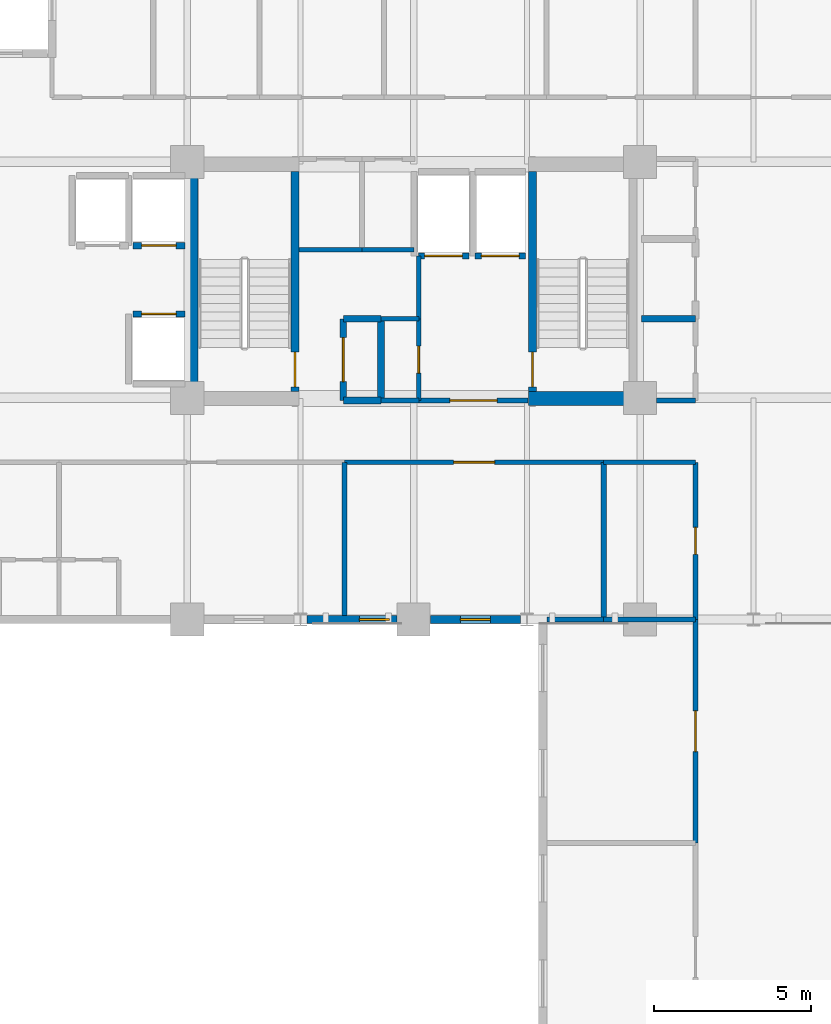
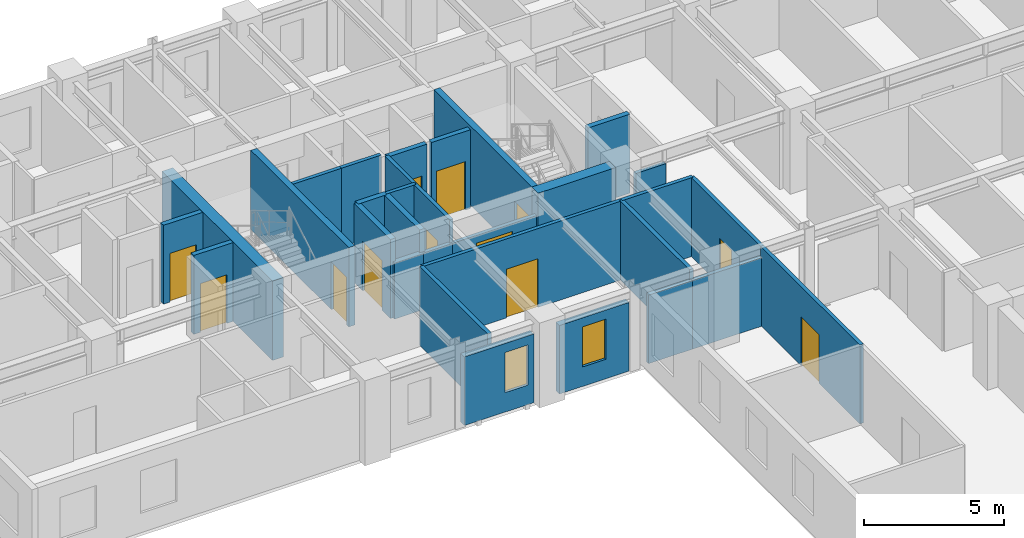
# One storey, part 5 of 13: 31 walls, 12 doors, 2 windows, 14 openings.
"""IFC4 building model written with IfcOpenShell, lengths in metres."""

from ifc_helpers import new_model, si_unit, direction, frame, frame_2d, origin, place, context, subcontext, project, spatial, rectangle, extrude, material, layer, layer_set, type_object, element, fill, save


model = new_model("IFC4")

# Units and contexts
model_context = context("Model", 3, precision=1e-05, world=origin(), true_north=direction((0.0, 1.0)))
body_context = subcontext(model_context, "Body", "Model", "MODEL_VIEW")
ifc_project = project(units=[si_unit("LENGTHUNIT", "METRE"), si_unit("AREAUNIT", "SQUARE_METRE"), si_unit("VOLUMEUNIT", "CUBIC_METRE"), si_unit("PLANEANGLEUNIT", "RADIAN"), si_unit("MASSUNIT", "GRAM", prefix="KILO")], contexts=[model_context])

# Site, building, storey
site_placement = place(None, origin())
site = spatial("IfcSite", under=ifc_project, at=site_placement, CompositionType="ELEMENT")
building_placement = place(site_placement, origin())
building = spatial("IfcBuilding", under=site, at=building_placement, Name="Kaliganga Portal Commons", CompositionType="ELEMENT")
storey_placement = place(building_placement, frame((0.0, 0.0, 166.10009765625)))
storey = spatial("IfcBuildingStorey", under=building, at=storey_placement, Name="L42", CompositionType="ELEMENT", Elevation=166.10009765625)

# Walls
ifc_material_1 = material(Name="Concrete C60/75", Category="concrete")
ifc_layer_1 = layer(ifc_material_1, 0.449951171875)
ifc_layer_set_1 = layer_set([ifc_layer_1], Name="Concrete C60/75")
wall_type_1 = type_object("IfcWallType", Name="WL-CORE-450", PredefinedType="SHEAR", material=ifc_layer_set_1)
wall_1_placement = place(storey_placement, frame((14.52490234375, 28.39990234375, 0.0), z_axis=(0.0, 0.0, 1.0), x_axis=(0.0, 1.0, 0.0)))
element("IfcWall", 1, at=wall_1_placement, inside=storey, type_object=wall_type_1, Name="Core A West Shear Wall L42", PredefinedType="SHEAR", context=body_context, shape_type="SweptSolid", body=[
    extrude(rectangle(XDim=7.900146484375, YDim=0.449951171875, at=frame_2d((3.9501953125, 0.0))), origin(), (0.0, 0.0, 1.0), 3.4599609375),
])
wall_2_placement = place(storey_placement, frame((25.25, 28.625, 0.0), z_axis=(0.0, 0.0, 1.0), x_axis=(1.0, 0.0, 0.0)))
element("IfcWall", 2, at=wall_2_placement, inside=storey, type_object=wall_type_1, Name="Core A S-East Shear Wall L42", PredefinedType="SHEAR", context=body_context, shape_type="SweptSolid", body=[
    extrude(rectangle(XDim=3.199951171875, YDim=0.449951171875, at=frame_2d((1.60009765625, 0.0))), origin(), (0.0, 0.0, 1.0), 3.4599609375),
])

# Wall, opening, window
ifc_material_2 = material(Name="Insulated Aluminium-Clad Spandrel Assembly", Category="aluminium")
ifc_layer_2 = layer(ifc_material_2, 0.260009765625)
ifc_layer_set_2 = layer_set([ifc_layer_2], Name="Insulated Aluminium-Clad Spandrel Assembly")
wall_type_2 = type_object("IfcWallType", Name="WL-EXT-SPAND-260", PredefinedType="STANDARD", material=ifc_layer_set_2)
wall_3_placement = place(storey_placement, frame((21.073974609375, 21.60009765625, 0.0), z_axis=(0.0, 0.0, 1.0), x_axis=(-1.0, 0.0, 0.0)))
wall_3 = element("IfcWall", 3, at=wall_3_placement, inside=storey, type_object=wall_type_2, Name="Exterior Envelope Wall L42 P1-E10-S3", PredefinedType="STANDARD", context=body_context, shape_type="SweptSolid", body=[
    extrude(rectangle(XDim=2.87109375, YDim=0.260009765625, at=frame_2d((1.435546875, 0.0))), origin(), (0.0, 0.0, 1.0), 2.989990234375),
])
opening_1_placement = place(wall_3_placement, frame((0.24853515625, 0.0, 0.85009765625)))
opening_1 = element("IfcOpeningElement", 4, at=opening_1_placement, cuts=wall_3, Name="Opening W-04", PredefinedType="OPENING", context=body_context, shape_type="SweptSolid", body=[
    extrude(rectangle(XDim=0.949951171875, YDim=1.75, at=frame_2d((0.47509765625, 0.875))), frame((0.0, 0.14013671875, 0.0), z_axis=(0.0, -1.0, 0.0), x_axis=(1.0, 0.0, 0.0)), (0.0, 0.0, 1.0), 0.280029296875),
])
ifc_material_3 = material(Name="Thermally Broken Aluminium and Low-E Double Glazing", Category="aluminium")
window_type = type_object("IfcWindowType", Name="WIN-NARROW-950", PartitioningType="SINGLE_PANEL", PredefinedType="WINDOW", material=ifc_material_3)
window_1_placement = place(opening_1_placement, origin())
window_1 = element("IfcWindow", 5, at=window_1_placement, inside=storey, type_object=window_type, Name="Facade Window L42-P1E10S3-N1", OverallHeight=1.75, OverallWidth=0.949951171875, PartitioningType="SINGLE_PANEL", PredefinedType="WINDOW", context=body_context, shape_type="SweptSolid", body=[
    extrude(rectangle(XDim=0.949951171875, YDim=1.75, at=frame_2d((0.47509765625, 0.875))), frame((0.0, 0.030029296875, 0.0), z_axis=(0.0, -1.0, 0.0), x_axis=(1.0, 0.0, 0.0)), (0.0, 0.0, 1.0), 0.06005859375),
])
fill(opening_1, window_1)

wall_4_placement = place(storey_placement, frame((24.9970703125, 21.60009765625, 0.0), z_axis=(0.0, 0.0, 1.0), x_axis=(-1.0, 0.0, 0.0)))
wall_4 = element("IfcWall", 6, at=wall_4_placement, inside=storey, type_object=wall_type_2, Name="Exterior Envelope Wall L42 P1-E10-S4", PredefinedType="STANDARD", context=body_context, shape_type="SweptSolid", body=[
    extrude(rectangle(XDim=2.87109375, YDim=0.260009765625, at=frame_2d((1.435546875, 0.0))), origin(), (0.0, 0.0, 1.0), 2.989990234375),
])
opening_2_placement = place(wall_4_placement, frame((0.96044921875, 0.0, 0.85009765625)))
opening_2 = element("IfcOpeningElement", 7, at=opening_2_placement, cuts=wall_4, Name="Opening W-04", PredefinedType="OPENING", context=body_context, shape_type="SweptSolid", body=[
    extrude(rectangle(XDim=0.949951171875, YDim=1.75, at=frame_2d((0.47509765625, 0.875))), frame((0.0, 0.14013671875, 0.0), z_axis=(0.0, -1.0, 0.0), x_axis=(1.0, 0.0, 0.0)), (0.0, 0.0, 1.0), 0.280029296875),
])
window_2_placement = place(opening_2_placement, origin())
window_2 = element("IfcWindow", 8, at=window_2_placement, inside=storey, type_object=window_type, Name="Facade Window L42-P1E10S4-00", OverallHeight=1.75, OverallWidth=0.949951171875, PartitioningType="SINGLE_PANEL", PredefinedType="WINDOW", context=body_context, shape_type="SweptSolid", body=[
    extrude(rectangle(XDim=0.949951171875, YDim=1.75, at=frame_2d((0.47509765625, 0.875))), frame((0.0, 0.030029296875, 0.0), z_axis=(0.0, -1.0, 0.0), x_axis=(1.0, 0.0, 0.0)), (0.0, 0.0, 1.0), 0.06005859375),
])
fill(opening_2, window_2)

# Wall, opening, door
ifc_material_4 = material(Name="Fire-Rated Gypsum Board on Steel Stud", Category="steel")
ifc_layer_3 = layer(ifc_material_4, 0.14990234375)
ifc_layer_set_3 = layer_set([ifc_layer_3], Name="Fire-Rated Gypsum Board on Steel Stud")
wall_type_3 = type_object("IfcWallType", Name="WL-PART-CORR-150", PredefinedType="PARTITIONING", material=ifc_layer_set_3)
wall_5_placement = place(storey_placement, frame((19.39990234375, 26.60009765625, 0.0), z_axis=(0.0, 0.0, 1.0), x_axis=(1.0, 0.0, 0.0)))
wall_5 = element("IfcWall", 9, at=wall_5_placement, inside=storey, type_object=wall_type_3, Name="Interior Partition L42-009", PredefinedType="PARTITIONING", context=body_context, shape_type="SweptSolid", body=[
    extrude(rectangle(XDim=8.239990234375, YDim=0.14990234375, at=frame_2d((4.1201171875, 0.0))), origin(), (0.0, 0.0, 1.0), 3.43994140625),
])
opening_3_placement = place(wall_5_placement, frame((3.469970703125, 0.0, 0.0)))
opening_3 = element("IfcOpeningElement", 10, at=opening_3_placement, cuts=wall_5, Name="Opening RD-03", PredefinedType="OPENING", context=body_context, shape_type="SweptSolid", body=[
    extrude(rectangle(XDim=1.300048828125, YDim=2.1201171875, at=frame_2d((0.64990234375, 1.06005859375))), frame((0.0, 0.0849609375, 0.0), z_axis=(0.0, -1.0, 0.0), x_axis=(1.0, 0.0, 0.0)), (0.0, 0.0, 1.0), 0.169921875),
])
ifc_material_5 = material(Name="Glazed Timber Seminar Vision Door", Category="wood")
door_type_1 = type_object("IfcDoorType", Name="DR-STUDY-1300", OperationType="DOUBLE_DOOR_SINGLE_SWING", PredefinedType="DOOR", material=ifc_material_5)
door_1_placement = place(opening_3_placement, origin())
door_1 = element("IfcDoor", 11, at=door_1_placement, inside=storey, type_object=door_type_1, Name="Interior Door L42-AS03", OperationType="DOUBLE_DOOR_SINGLE_SWING", OverallHeight=2.1201171875, OverallWidth=1.300048828125, PredefinedType="DOOR", context=body_context, shape_type="SweptSolid", body=[
    extrude(rectangle(XDim=1.300048828125, YDim=2.1201171875, at=frame_2d((0.64990234375, 1.06005859375))), frame((0.0, 0.02490234375, 0.0), z_axis=(0.0, -1.0, 0.0), x_axis=(1.0, 0.0, 0.0)), (0.0, 0.0, 1.0), 0.050048828125),
])
fill(opening_3, door_1)

wall_6_placement = place(storey_placement, frame((30.56005859375, 14.5, 0.0), z_axis=(0.0, 0.0, 1.0), x_axis=(0.0, 1.0, 0.0)))
wall_6 = element("IfcWall", 12, at=wall_6_placement, inside=storey, type_object=wall_type_3, Name="Interior Partition L42-014", PredefinedType="PARTITIONING", context=body_context, shape_type="SweptSolid", body=[
    extrude(rectangle(XDim=7.10009765625, YDim=0.14990234375, at=frame_2d((3.550048828125, 0.0))), origin(), (0.0, 0.0, 1.0), 3.43994140625),
])
opening_4_placement = place(wall_6_placement, frame((2.89990234375, 0.0, 0.0)))
opening_4 = element("IfcOpeningElement", 13, at=opening_4_placement, cuts=wall_6, Name="Opening RD-03", PredefinedType="OPENING", context=body_context, shape_type="SweptSolid", body=[
    extrude(rectangle(XDim=1.300048828125, YDim=2.1201171875, at=frame_2d((0.64990234375, 1.06005859375))), frame((0.0, 0.0849609375, 0.0), z_axis=(0.0, -1.0, 0.0), x_axis=(1.0, 0.0, 0.0)), (0.0, 0.0, 1.0), 0.169921875),
])
door_2_placement = place(opening_4_placement, origin())
door_2 = element("IfcDoor", 14, at=door_2_placement, inside=storey, type_object=door_type_1, Name="Interior Door L42-KW02", OperationType="DOUBLE_DOOR_SINGLE_SWING", OverallHeight=2.1201171875, OverallWidth=1.300048828125, PredefinedType="DOOR", context=body_context, shape_type="SweptSolid", body=[
    extrude(rectangle(XDim=1.300048828125, YDim=2.1201171875, at=frame_2d((0.64990234375, 1.06005859375))), frame((0.0, 0.02490234375, 0.0), z_axis=(0.0, -1.0, 0.0), x_axis=(1.0, 0.0, 0.0)), (0.0, 0.0, 1.0), 0.050048828125),
])
fill(opening_4, door_2)

wall_7_placement = place(storey_placement, frame((30.56005859375, 21.60009765625, 0.0), z_axis=(0.0, 0.0, 1.0), x_axis=(0.0, 1.0, 0.0)))
wall_7 = element("IfcWall", 15, at=wall_7_placement, inside=storey, type_object=wall_type_3, Name="Interior Partition L42-020", PredefinedType="PARTITIONING", context=body_context, shape_type="SweptSolid", body=[
    extrude(rectangle(XDim=5.0, YDim=0.14990234375, at=frame_2d((2.5, 0.0))), origin(), (0.0, 0.0, 1.0), 3.43994140625),
])
opening_5_placement = place(wall_7_placement, frame((2.070068359375, 0.0, 0.0)))
opening_5 = element("IfcOpeningElement", 16, at=opening_5_placement, cuts=wall_7, Name="Opening WD-02", PredefinedType="OPENING", context=body_context, shape_type="SweptSolid", body=[
    extrude(rectangle(XDim=0.860107421875, YDim=2.02001953125, at=frame_2d((0.43017578125, 1.010009765625))), frame((0.0, 0.0849609375, 0.0), z_axis=(0.0, -1.0, 0.0), x_axis=(1.0, 0.0, 0.0)), (0.0, 0.0, 1.0), 0.169921875),
])
ifc_material_6 = material(Name="Fire-Rated Utility Closet Door", Category="wood")
door_type_2 = type_object("IfcDoorType", Name="DR-STORE-800", OperationType="NOTDEFINED", PredefinedType="DOOR", material=ifc_material_6)
door_3_placement = place(opening_5_placement, origin())
door_3 = element("IfcDoor", 17, at=door_3_placement, inside=storey, type_object=door_type_2, Name="Interior Door L42-AS04", OperationType="SINGLE_SWING_RIGHT", OverallHeight=2.02001953125, OverallWidth=0.860107421875, PredefinedType="DOOR", context=body_context, shape_type="SweptSolid", body=[
    extrude(rectangle(XDim=0.860107421875, YDim=2.02001953125, at=frame_2d((0.43017578125, 1.010009765625))), frame((0.0, 0.02490234375, 0.0), z_axis=(0.0, -1.0, 0.0), x_axis=(1.0, 0.0, 0.0)), (0.0, 0.0, 1.0), 0.050048828125),
])
fill(opening_5, door_3)

# Wall
wall_8_placement = place(storey_placement, frame((27.639892578125, 26.60009765625, 0.0), z_axis=(0.0, 0.0, 1.0), x_axis=(1.0, 0.0, 0.0)))
element("IfcWall", 18, at=wall_8_placement, inside=storey, type_object=wall_type_3, Name="Interior Partition L42-037", PredefinedType="PARTITIONING", context=body_context, shape_type="SweptSolid", body=[
    extrude(rectangle(XDim=2.920166015625, YDim=0.14990234375, at=frame_2d((1.4599609375, 0.0))), origin(), (0.0, 0.0, 1.0), 3.43994140625),
])

# Wall, opening, door
wall_9_placement = place(storey_placement, frame((21.760009765625, 28.56005859375, 0.0), z_axis=(0.0, 0.0, 1.0), x_axis=(0.0, 1.0, 0.0)))
wall_9 = element("IfcWall", 19, at=wall_9_placement, inside=storey, type_object=wall_type_3, Name="Interior Partition L42-041", PredefinedType="PARTITIONING", context=body_context, shape_type="SweptSolid", body=[
    extrude(rectangle(XDim=2.599853515625, YDim=0.14990234375, at=frame_2d((1.2998046875, 0.0))), origin(), (0.0, 0.0, 1.0), 3.43994140625),
])
opening_6_placement = place(wall_9_placement, frame((0.8701171875, 0.0, 0.0)))
opening_6 = element("IfcOpeningElement", 20, at=opening_6_placement, cuts=wall_9, Name="Opening WD-02", PredefinedType="OPENING", context=body_context, shape_type="SweptSolid", body=[
    extrude(rectangle(XDim=0.860107421875, YDim=2.02001953125, at=frame_2d((0.43017578125, 1.010009765625))), frame((0.0, 0.0849609375, 0.0), z_axis=(0.0, -1.0, 0.0), x_axis=(1.0, 0.0, 0.0)), (0.0, 0.0, 1.0), 0.169921875),
])
door_4_placement = place(opening_6_placement, origin())
door_4 = element("IfcDoor", 21, at=door_4_placement, inside=storey, type_object=door_type_2, Name="Interior Door L42-CIN_A2", OperationType="SINGLE_SWING_LEFT", OverallHeight=2.02001953125, OverallWidth=0.860107421875, PredefinedType="DOOR", context=body_context, shape_type="SweptSolid", body=[
    extrude(rectangle(XDim=0.860107421875, YDim=2.02001953125, at=frame_2d((0.43017578125, 1.010009765625))), frame((0.0, 0.02490234375, 0.0), z_axis=(0.0, -1.0, 0.0), x_axis=(1.0, 0.0, 0.0)), (0.0, 0.0, 1.0), 0.050048828125),
])
fill(opening_6, door_4)

# Walls
wall_10_placement = place(storey_placement, frame((17.9599609375, 33.360107421875, 0.0), z_axis=(0.0, 0.0, 1.0), x_axis=(1.0, 0.0, 0.0)))
element("IfcWall", 22, at=wall_10_placement, inside=storey, type_object=wall_type_3, Name="Interior Partition L42-047", PredefinedType="PARTITIONING", context=body_context, shape_type="SweptSolid", body=[
    extrude(rectangle(XDim=2.0, YDim=0.14990234375, at=frame_2d((1.0, 0.0))), origin(), (0.0, 0.0, 1.0), 3.43994140625),
])
wall_11_placement = place(storey_placement, frame((29.324951171875, 28.56005859375, 0.0), z_axis=(0.0, 0.0, 1.0), x_axis=(1.0, 0.0, 0.0)))
element("IfcWall", 23, at=wall_11_placement, inside=storey, type_object=wall_type_3, Name="Interior Partition L42-050", PredefinedType="PARTITIONING", context=body_context, shape_type="SweptSolid", body=[
    extrude(rectangle(XDim=1.235107421875, YDim=0.14990234375, at=frame_2d((0.61767578125, 0.0))), origin(), (0.0, 0.0, 1.0), 2.83984375),
])
wall_12_placement = place(storey_placement, frame((19.9599609375, 33.360107421875, 0.0), z_axis=(0.0, 0.0, 1.0), x_axis=(1.0, 0.0, 0.0)))
element("IfcWall", 24, at=wall_12_placement, inside=storey, type_object=wall_type_3, Name="Interior Partition L42-052", PredefinedType="PARTITIONING", context=body_context, shape_type="SweptSolid", body=[
    extrude(rectangle(XDim=1.650146484375, YDim=0.14990234375, at=frame_2d((0.8251953125, 0.0))), origin(), (0.0, 0.0, 1.0), 3.43994140625),
])
wall_13_placement = place(storey_placement, frame((20.56005859375, 28.56005859375, 0.0), z_axis=(0.0, 0.0, 1.0), x_axis=(1.0, 0.0, 0.0)))
element("IfcWall", 25, at=wall_13_placement, inside=storey, type_object=wall_type_3, Name="Interior Partition L42-054", PredefinedType="PARTITIONING", context=body_context, shape_type="SweptSolid", body=[
    extrude(rectangle(XDim=1.199951171875, YDim=0.14990234375, at=frame_2d((0.60009765625, 0.0))), origin(), (0.0, 0.0, 1.0), 2.43994140625),
])
wall_14_placement = place(storey_placement, frame((20.56005859375, 31.159912109375, 0.0), z_axis=(0.0, 0.0, 1.0), x_axis=(1.0, 0.0, 0.0)))
element("IfcWall", 26, at=wall_14_placement, inside=storey, type_object=wall_type_3, Name="Interior Partition L42-055", PredefinedType="PARTITIONING", context=body_context, shape_type="SweptSolid", body=[
    extrude(rectangle(XDim=1.199951171875, YDim=0.14990234375, at=frame_2d((0.60009765625, 0.0))), origin(), (0.0, 0.0, 1.0), 3.43994140625),
])

# Wall, opening, door
wall_15_placement = place(storey_placement, frame((21.760009765625, 28.56005859375, 0.0), z_axis=(0.0, 0.0, 1.0), x_axis=(1.0, 0.0, 0.0)))
wall_15 = element("IfcWall", 27, at=wall_15_placement, inside=storey, type_object=wall_type_3, Name="Interior Partition L42-083", PredefinedType="PARTITIONING", context=body_context, shape_type="SweptSolid", body=[
    extrude(rectangle(XDim=3.47998046875, YDim=0.14990234375, at=frame_2d((1.739990234375, 0.0))), origin(), (0.0, 0.0, 1.0), 2.43994140625),
])
opening_7_placement = place(wall_15_placement, frame((0.989990234375, 0.0, 0.0)))
opening_7 = element("IfcOpeningElement", 28, at=opening_7_placement, cuts=wall_15, Name="Opening FD-01", PredefinedType="OPENING", context=body_context, shape_type="SweptSolid", body=[
    extrude(rectangle(XDim=1.5, YDim=2.10009765625, at=frame_2d((0.75, 1.050048828125))), frame((0.0, 0.0849609375, 0.0), z_axis=(0.0, -1.0, 0.0), x_axis=(1.0, 0.0, 0.0)), (0.0, 0.0, 1.0), 0.169921875),
])
ifc_material_7 = material(Name="Fire-Rated Hardwood and Georgian-Wired Vision Panel", Category="wood")
door_type_3 = type_object("IfcDoorType", Name="DR-LOBBY-1500", OperationType="DOUBLE_DOOR_SINGLE_SWING", PredefinedType="DOOR", material=ifc_material_7)
door_5_placement = place(opening_7_placement, origin())
door_5 = element("IfcDoor", 29, at=door_5_placement, inside=storey, type_object=door_type_3, Name="Interior Door L42-FFLOB_A", OperationType="DOUBLE_DOOR_SINGLE_SWING", OverallHeight=2.10009765625, OverallWidth=1.5, PredefinedType="DOOR", context=body_context, shape_type="SweptSolid", body=[
    extrude(rectangle(XDim=1.5, YDim=2.10009765625, at=frame_2d((0.75, 1.050048828125))), frame((0.0, 0.02490234375, 0.0), z_axis=(0.0, -1.0, 0.0), x_axis=(1.0, 0.0, 0.0)), (0.0, 0.0, 1.0), 0.050048828125),
])
fill(opening_7, door_5)

# Wall
wall_16_placement = place(storey_placement, frame((21.760009765625, 31.159912109375, 0.0), z_axis=(0.0, 0.0, 1.0), x_axis=(0.0, 1.0, 0.0)))
element("IfcWall", 30, at=wall_16_placement, inside=storey, type_object=wall_type_3, Name="Interior Partition L42-090", PredefinedType="PARTITIONING", context=body_context, shape_type="SweptSolid", body=[
    extrude(rectangle(XDim=2.0, YDim=0.14990234375, at=frame_2d((1.0, 0.0))), origin(), (0.0, 0.0, 1.0), 3.43994140625),
])

# Wall, opening, door
ifc_material_8 = material(Name="Lightweight blockwork masonry", Category="masonry")
ifc_layer_4 = layer(ifc_material_8, 0.215087890625)
ifc_layer_set_4 = layer_set([ifc_layer_4], Name="Lightweight blockwork masonry")
wall_type_4 = type_object("IfcWallType", Name="WL-PART-PLANT-215", PredefinedType="PARTITIONING", material=ifc_layer_set_4)
wall_17_placement = place(storey_placement, frame((19.360107421875, 28.56005859375, 0.0), z_axis=(0.0, 0.0, 1.0), x_axis=(0.0, 1.0, 0.0)))
wall_17 = element("IfcWall", 31, at=wall_17_placement, inside=storey, type_object=wall_type_4, Name="Interior Partition L42-040", PredefinedType="PARTITIONING", context=body_context, shape_type="SweptSolid", body=[
    extrude(rectangle(XDim=2.599853515625, YDim=0.215087890625, at=frame_2d((1.2998046875, 0.0))), origin(), (0.0, 0.0, 1.0), 3.43994140625),
])
opening_8_placement = place(wall_17_placement, frame((0.60009765625, 0.0, 0.0)))
opening_8 = element("IfcOpeningElement", 32, at=opening_8_placement, cuts=wall_17, Name="Opening PD-01", PredefinedType="OPENING", context=body_context, shape_type="SweptSolid", body=[
    extrude(rectangle(XDim=1.39990234375, YDim=2.14990234375, at=frame_2d((0.699951171875, 1.074951171875))), frame((0.0, 0.11767578125, 0.0), z_axis=(0.0, -1.0, 0.0), x_axis=(1.0, 0.0, 0.0)), (0.0, 0.0, 1.0), 0.235107421875),
])
ifc_material_9 = material(Name="Heavy-Duty Steel Acoustic Louvre Fire Door", Category="steel")
door_type_4 = type_object("IfcDoorType", Name="DR-PLANT-1400", OperationType="DOUBLE_DOOR_SINGLE_SWING", PredefinedType="DOOR", material=ifc_material_9)
door_6_placement = place(opening_8_placement, origin())
door_6 = element("IfcDoor", 33, at=door_6_placement, inside=storey, type_object=door_type_4, Name="Interior Door L42-CIN_A1", OperationType="DOUBLE_DOOR_SINGLE_SWING", OverallHeight=2.14990234375, OverallWidth=1.39990234375, PredefinedType="DOOR", context=body_context, shape_type="SweptSolid", body=[
    extrude(rectangle(XDim=1.39990234375, YDim=2.14990234375, at=frame_2d((0.699951171875, 1.074951171875))), frame((0.0, 0.02490234375, 0.0), z_axis=(0.0, -1.0, 0.0), x_axis=(1.0, 0.0, 0.0)), (0.0, 0.0, 1.0), 0.050048828125),
])
fill(opening_8, door_6)

# Walls
wall_18_placement = place(storey_placement, frame((19.360107421875, 28.56005859375, 0.0), z_axis=(0.0, 0.0, 1.0), x_axis=(1.0, 0.0, 0.0)))
element("IfcWall", 34, at=wall_18_placement, inside=storey, type_object=wall_type_4, Name="Interior Partition L42-056", PredefinedType="PARTITIONING", context=body_context, shape_type="SweptSolid", body=[
    extrude(rectangle(XDim=1.199951171875, YDim=0.215087890625, at=frame_2d((0.60009765625, 0.0))), origin(), (0.0, 0.0, 1.0), 2.43994140625),
])
wall_19_placement = place(storey_placement, frame((19.360107421875, 31.159912109375, 0.0), z_axis=(0.0, 0.0, 1.0), x_axis=(1.0, 0.0, 0.0)))
element("IfcWall", 35, at=wall_19_placement, inside=storey, type_object=wall_type_4, Name="Interior Partition L42-057", PredefinedType="PARTITIONING", context=body_context, shape_type="SweptSolid", body=[
    extrude(rectangle(XDim=1.199951171875, YDim=0.215087890625, at=frame_2d((0.60009765625, 0.0))), origin(), (0.0, 0.0, 1.0), 3.43994140625),
])
wall_20_placement = place(storey_placement, frame((20.56005859375, 28.56005859375, 0.0), z_axis=(0.0, 0.0, 1.0), x_axis=(0.0, 1.0, 0.0)))
element("IfcWall", 36, at=wall_20_placement, inside=storey, type_object=wall_type_4, Name="Interior Partition L42-087", PredefinedType="PARTITIONING", context=body_context, shape_type="SweptSolid", body=[
    extrude(rectangle(XDim=2.599853515625, YDim=0.215087890625, at=frame_2d((1.2998046875, 0.0))), origin(), (0.0, 0.0, 1.0), 3.43994140625),
])
wall_21_placement = place(storey_placement, frame((28.840087890625, 31.159912109375, 0.0), z_axis=(0.0, 0.0, 1.0), x_axis=(1.0, 0.0, 0.0)))
element("IfcWall", 37, at=wall_21_placement, inside=storey, type_object=wall_type_4, Name="Interior Partition L42-092", PredefinedType="PARTITIONING", context=body_context, shape_type="SweptSolid", body=[
    extrude(rectangle(XDim=1.719970703125, YDim=0.215087890625, at=frame_2d((0.85986328125, 0.0))), origin(), (0.0, 0.0, 1.0), 3.43994140625),
])
ifc_material_10 = material(Name="Twin-Stud Acoustic Gypsum Partition", Category="gypsum")
ifc_layer_5 = layer(ifc_material_10, 0.1650390625)
ifc_layer_set_5 = layer_set([ifc_layer_5], Name="Twin-Stud Acoustic Gypsum Partition")
wall_type_5 = type_object("IfcWallType", Name="WL-PART-UNIT-165", PredefinedType="PARTITIONING", material=ifc_layer_set_5)
wall_22_placement = place(storey_placement, frame((19.39990234375, 21.73193359375, 0.0), z_axis=(0.0, 0.0, 1.0), x_axis=(0.0, 1.0, 0.0)))
element("IfcWall", 38, at=wall_22_placement, inside=storey, type_object=wall_type_5, Name="Interior Partition L42-074", PredefinedType="PARTITIONING", context=body_context, shape_type="SweptSolid", body=[
    extrude(rectangle(XDim=4.8681640625, YDim=0.1650390625, at=frame_2d((2.43408203125, 0.0))), origin(), (0.0, 0.0, 1.0), 3.43994140625),
])
wall_23_placement = place(storey_placement, frame((27.639892578125, 21.60009765625, 0.0), z_axis=(0.0, 0.0, 1.0), x_axis=(0.0, 1.0, 0.0)))
element("IfcWall", 39, at=wall_23_placement, inside=storey, type_object=wall_type_5, Name="Interior Partition L42-077", PredefinedType="PARTITIONING", context=body_context, shape_type="SweptSolid", body=[
    extrude(rectangle(XDim=5.0, YDim=0.1650390625, at=frame_2d((2.5, 0.0))), origin(), (0.0, 0.0, 1.0), 3.43994140625),
])
wall_24_placement = place(storey_placement, frame((27.639892578125, 21.60009765625, 0.0), z_axis=(0.0, 0.0, 1.0), x_axis=(1.0, 0.0, 0.0)))
element("IfcWall", 40, at=wall_24_placement, inside=storey, type_object=wall_type_5, Name="Interior Partition L42-085", PredefinedType="PARTITIONING", context=body_context, shape_type="SweptSolid", body=[
    extrude(rectangle(XDim=2.920166015625, YDim=0.1650390625, at=frame_2d((1.4599609375, 0.0))), origin(), (0.0, 0.0, 1.0), 2.989990234375),
])
wall_25_placement = place(storey_placement, frame((25.83203125, 21.60009765625, 0.0), z_axis=(0.0, 0.0, 1.0), x_axis=(1.0, 0.0, 0.0)))
element("IfcWall", 41, at=wall_25_placement, inside=storey, type_object=wall_type_5, Name="Interior Partition L42-091", PredefinedType="PARTITIONING", context=body_context, shape_type="SweptSolid", body=[
    extrude(rectangle(XDim=1.807861328125, YDim=0.1650390625, at=frame_2d((0.90380859375, 0.0))), origin(), (0.0, 0.0, 1.0), 2.989990234375),
])

# Wall, opening, door
ifc_material_11 = material(Name="Fire-Rated Shaftwall Masonry Assembly", Category="masonry")
ifc_layer_6 = layer(ifc_material_11, 0.199951171875)
ifc_layer_set_6 = layer_set([ifc_layer_6], Name="Fire-Rated Shaftwall Masonry Assembly")
wall_type_6 = type_object("IfcWallType", Name="WL-SHAFT-200", PredefinedType="PARTITIONING", material=ifc_layer_set_6)
wall_26_placement = place(storey_placement, frame((12.675048828125, 33.485107421875, 0.0), z_axis=(0.0, 0.0, 1.0), x_axis=(1.0, 0.0, 0.0)))
wall_26 = element("IfcWall", 42, at=wall_26_placement, inside=storey, type_object=wall_type_6, Name="Lift PL-A3 Hoistway Shaft Wall L42-S", PredefinedType="PARTITIONING", context=body_context, shape_type="SweptSolid", body=[
    extrude(rectangle(XDim=1.64990234375, YDim=0.199951171875, at=frame_2d((0.824951171875, 0.0))), origin(), (0.0, 0.0, 1.0), 3.43994140625),
])
opening_9_placement = place(wall_26_placement, frame((0.27490234375, 0.0, 0.0)))
opening_9 = element("IfcOpeningElement", 43, at=opening_9_placement, cuts=wall_26, Name="Opening LD-01", PredefinedType="OPENING", context=body_context, shape_type="SweptSolid", body=[
    extrude(rectangle(XDim=1.10009765625, YDim=2.1201171875, at=frame_2d((0.550048828125, 1.06005859375))), frame((0.0, 0.10986328125, 0.0), z_axis=(0.0, -1.0, 0.0), x_axis=(1.0, 0.0, 0.0)), (0.0, 0.0, 1.0), 0.219970703125),
])
ifc_material_12 = material(Name="Brushed Stainless Steel 316 Lift Landing Door", Category="steel")
door_type_5 = type_object("IfcDoorType", Name="DR-LIFT-1100", OperationType="SLIDING_TO_LEFT", PredefinedType="DOOR", material=ifc_material_12)
door_7_placement = place(opening_9_placement, origin())
door_7 = element("IfcDoor", 44, at=door_7_placement, inside=storey, type_object=door_type_5, Name="Lift PL-A3 Sliding Landing Door L42", OperationType="SLIDING_TO_LEFT", OverallHeight=2.1201171875, OverallWidth=1.10009765625, PredefinedType="DOOR", context=body_context, shape_type="SweptSolid", body=[
    extrude(rectangle(XDim=1.10009765625, YDim=2.1201171875, at=frame_2d((0.550048828125, 1.06005859375))), frame((0.0, 0.02490234375, 0.0), z_axis=(0.0, -1.0, 0.0), x_axis=(1.0, 0.0, 0.0)), (0.0, 0.0, 1.0), 0.050048828125),
])
fill(opening_9, door_7)

wall_27_placement = place(storey_placement, frame((12.675048828125, 31.31494140625, 0.0), z_axis=(0.0, 0.0, 1.0), x_axis=(1.0, 0.0, 0.0)))
wall_27 = element("IfcWall", 45, at=wall_27_placement, inside=storey, type_object=wall_type_6, Name="Lift PL-A4 Hoistway Shaft Wall L42-N", PredefinedType="PARTITIONING", context=body_context, shape_type="SweptSolid", body=[
    extrude(rectangle(XDim=1.64990234375, YDim=0.199951171875, at=frame_2d((0.824951171875, 0.0))), origin(), (0.0, 0.0, 1.0), 3.43994140625),
])
opening_10_placement = place(wall_27_placement, frame((0.27490234375, 0.0, 0.0)))
opening_10 = element("IfcOpeningElement", 46, at=opening_10_placement, cuts=wall_27, Name="Opening LD-01", PredefinedType="OPENING", context=body_context, shape_type="SweptSolid", body=[
    extrude(rectangle(XDim=1.10009765625, YDim=2.1201171875, at=frame_2d((0.550048828125, 1.06005859375))), frame((0.0, 0.10986328125, 0.0), z_axis=(0.0, -1.0, 0.0), x_axis=(1.0, 0.0, 0.0)), (0.0, 0.0, 1.0), 0.219970703125),
])
door_8_placement = place(opening_10_placement, origin())
door_8 = element("IfcDoor", 47, at=door_8_placement, inside=storey, type_object=door_type_5, Name="Lift PL-A4 Sliding Landing Door L42", OperationType="SLIDING_TO_LEFT", OverallHeight=2.1201171875, OverallWidth=1.10009765625, PredefinedType="DOOR", context=body_context, shape_type="SweptSolid", body=[
    extrude(rectangle(XDim=1.10009765625, YDim=2.1201171875, at=frame_2d((0.550048828125, 1.06005859375))), frame((0.0, 0.02490234375, 0.0), z_axis=(0.0, -1.0, 0.0), x_axis=(1.0, 0.0, 0.0)), (0.0, 0.0, 1.0), 0.050048828125),
])
fill(opening_10, door_8)

wall_28_placement = place(storey_placement, frame((21.75, 33.159912109375, 0.0), z_axis=(0.0, 0.0, 1.0), x_axis=(1.0, 0.0, 0.0)))
wall_28 = element("IfcWall", 48, at=wall_28_placement, inside=storey, type_object=wall_type_6, Name="Lift FFL-1 Hoistway Shaft Wall L42-S", PredefinedType="PARTITIONING", context=body_context, shape_type="SweptSolid", body=[
    extrude(rectangle(XDim=1.60009765625, YDim=0.199951171875, at=frame_2d((0.800048828125, 0.0))), origin(), (0.0, 0.0, 1.0), 3.43994140625),
])
opening_11_placement = place(wall_28_placement, frame((0.199951171875, 0.0, 0.0)))
opening_11 = element("IfcOpeningElement", 49, at=opening_11_placement, cuts=wall_28, Name="Opening LD-02", PredefinedType="OPENING", context=body_context, shape_type="SweptSolid", body=[
    extrude(rectangle(XDim=1.199951171875, YDim=2.1201171875, at=frame_2d((0.60009765625, 1.06005859375))), frame((0.0, 0.10986328125, 0.0), z_axis=(0.0, -1.0, 0.0), x_axis=(1.0, 0.0, 0.0)), (0.0, 0.0, 1.0), 0.219970703125),
])
ifc_material_13 = material(Name="Brushed Stainless Steel 316 Stretcher Lift Landing Door", Category="steel")
door_type_6 = type_object("IfcDoorType", Name="DR-LIFT-1200", OperationType="SLIDING_TO_RIGHT", PredefinedType="DOOR", material=ifc_material_13)
door_9_placement = place(opening_11_placement, origin())
door_9 = element("IfcDoor", 50, at=door_9_placement, inside=storey, type_object=door_type_6, Name="Lift FFL-1 Sliding Landing Door L42", OperationType="SLIDING_TO_RIGHT", OverallHeight=2.1201171875, OverallWidth=1.199951171875, PredefinedType="DOOR", context=body_context, shape_type="SweptSolid", body=[
    extrude(rectangle(XDim=1.199951171875, YDim=2.1201171875, at=frame_2d((0.60009765625, 1.06005859375))), frame((0.0, 0.02490234375, 0.0), z_axis=(0.0, -1.0, 0.0), x_axis=(1.0, 0.0, 0.0)), (0.0, 0.0, 1.0), 0.050048828125),
])
fill(opening_11, door_9)

wall_29_placement = place(storey_placement, frame((23.550048828125, 33.159912109375, 0.0), z_axis=(0.0, 0.0, 1.0), x_axis=(1.0, 0.0, 0.0)))
wall_29 = element("IfcWall", 51, at=wall_29_placement, inside=storey, type_object=wall_type_6, Name="Lift FFL-2 Hoistway Shaft Wall L42-S", PredefinedType="PARTITIONING", context=body_context, shape_type="SweptSolid", body=[
    extrude(rectangle(XDim=1.599853515625, YDim=0.199951171875, at=frame_2d((0.7998046875, 0.0))), origin(), (0.0, 0.0, 1.0), 3.43994140625),
])
opening_12_placement = place(wall_29_placement, frame((0.199951171875, 0.0, 0.0)))
opening_12 = element("IfcOpeningElement", 52, at=opening_12_placement, cuts=wall_29, Name="Opening LD-02", PredefinedType="OPENING", context=body_context, shape_type="SweptSolid", body=[
    extrude(rectangle(XDim=1.199951171875, YDim=2.1201171875, at=frame_2d((0.60009765625, 1.06005859375))), frame((0.0, 0.10986328125, 0.0), z_axis=(0.0, -1.0, 0.0), x_axis=(1.0, 0.0, 0.0)), (0.0, 0.0, 1.0), 0.219970703125),
])
door_10_placement = place(opening_12_placement, origin())
door_10 = element("IfcDoor", 53, at=door_10_placement, inside=storey, type_object=door_type_6, Name="Lift FFL-2 Sliding Landing Door L42", OperationType="SLIDING_TO_RIGHT", OverallHeight=2.1201171875, OverallWidth=1.199951171875, PredefinedType="DOOR", context=body_context, shape_type="SweptSolid", body=[
    extrude(rectangle(XDim=1.199951171875, YDim=2.1201171875, at=frame_2d((0.60009765625, 1.06005859375))), frame((0.0, 0.02490234375, 0.0), z_axis=(0.0, -1.0, 0.0), x_axis=(1.0, 0.0, 0.0)), (0.0, 0.0, 1.0), 0.050048828125),
])
fill(opening_12, door_10)

ifc_material_14 = material(Name="Concrete C50/60", Category="concrete")
ifc_layer_7 = layer(ifc_material_14, 0.25)
ifc_layer_set_7 = layer_set([ifc_layer_7], Name="Concrete C50/60")
wall_type_7 = type_object("IfcWallType", Name="WL-STAIR-250", PredefinedType="SHEAR", material=ifc_layer_set_7)
wall_30_placement = place(storey_placement, frame((17.824951171875, 28.85009765625, 0.0), z_axis=(0.0, 0.0, 1.0), x_axis=(0.0, 1.0, 0.0)))
wall_30 = element("IfcWall", 54, at=wall_30_placement, inside=storey, type_object=wall_type_7, Name="Stair A1 Enclosure Shear Wall L42", PredefinedType="SHEAR", context=body_context, shape_type="SweptSolid", body=[
    extrude(rectangle(XDim=7.0, YDim=0.25, at=frame_2d((3.5, 0.0))), origin(), (0.0, 0.0, 1.0), 3.4599609375),
])
opening_13_placement = place(wall_30_placement, frame((0.14990234375, 0.0, 0.0)))
opening_13 = element("IfcOpeningElement", 55, at=opening_13_placement, cuts=wall_30, Name="Opening SD-01", PredefinedType="OPENING", context=body_context, shape_type="SweptSolid", body=[
    extrude(rectangle(XDim=1.10009765625, YDim=2.080078125, at=frame_2d((0.550048828125, 1.0400390625))), frame((0.0, 0.135009765625, 0.0), z_axis=(0.0, -1.0, 0.0), x_axis=(1.0, 0.0, 0.0)), (0.0, 0.0, 1.0), 0.27001953125),
])
ifc_material_15 = material(Name="Galvanized Steel Fire Door Leaf and Frame", Category="steel")
door_type_7 = type_object("IfcDoorType", Name="DR-STAIR-1100", OperationType="NOTDEFINED", PredefinedType="DOOR", material=ifc_material_15)
door_11_placement = place(opening_13_placement, origin())
door_11 = element("IfcDoor", 56, at=door_11_placement, inside=storey, type_object=door_type_7, Name="Protected Stair ST-A1 Fire Door L42", OperationType="SINGLE_SWING_RIGHT", OverallHeight=2.080078125, OverallWidth=1.10009765625, PredefinedType="DOOR", context=body_context, shape_type="SweptSolid", body=[
    extrude(rectangle(XDim=1.10009765625, YDim=2.080078125, at=frame_2d((0.550048828125, 1.0400390625))), frame((0.0, 0.02490234375, 0.0), z_axis=(0.0, -1.0, 0.0), x_axis=(1.0, 0.0, 0.0)), (0.0, 0.0, 1.0), 0.050048828125),
])
fill(opening_13, door_11)

wall_31_placement = place(storey_placement, frame((25.375, 28.85009765625, 0.0), z_axis=(0.0, 0.0, 1.0), x_axis=(0.0, 1.0, 0.0)))
wall_31 = element("IfcWall", 57, at=wall_31_placement, inside=storey, type_object=wall_type_7, Name="Stair A2 Enclosure Shear Wall L42", PredefinedType="SHEAR", context=body_context, shape_type="SweptSolid", body=[
    extrude(rectangle(XDim=7.0, YDim=0.25, at=frame_2d((3.5, 0.0))), origin(), (0.0, 0.0, 1.0), 3.4599609375),
])
opening_14_placement = place(wall_31_placement, frame((0.14990234375, 0.0, 0.0)))
opening_14 = element("IfcOpeningElement", 58, at=opening_14_placement, cuts=wall_31, Name="Opening SD-01", PredefinedType="OPENING", context=body_context, shape_type="SweptSolid", body=[
    extrude(rectangle(XDim=1.10009765625, YDim=2.080078125, at=frame_2d((0.550048828125, 1.0400390625))), frame((0.0, 0.135009765625, 0.0), z_axis=(0.0, -1.0, 0.0), x_axis=(1.0, 0.0, 0.0)), (0.0, 0.0, 1.0), 0.27001953125),
])
door_12_placement = place(opening_14_placement, origin())
door_12 = element("IfcDoor", 59, at=door_12_placement, inside=storey, type_object=door_type_7, Name="Protected Stair ST-A2 Fire Door L42", OperationType="SINGLE_SWING_LEFT", OverallHeight=2.080078125, OverallWidth=1.10009765625, PredefinedType="DOOR", context=body_context, shape_type="SweptSolid", body=[
    extrude(rectangle(XDim=1.10009765625, YDim=2.080078125, at=frame_2d((0.550048828125, 1.0400390625))), frame((0.0, 0.02490234375, 0.0), z_axis=(0.0, -1.0, 0.0), x_axis=(1.0, 0.0, 0.0)), (0.0, 0.0, 1.0), 0.050048828125),
])
fill(opening_14, door_12)

save(model, "model.ifc")
